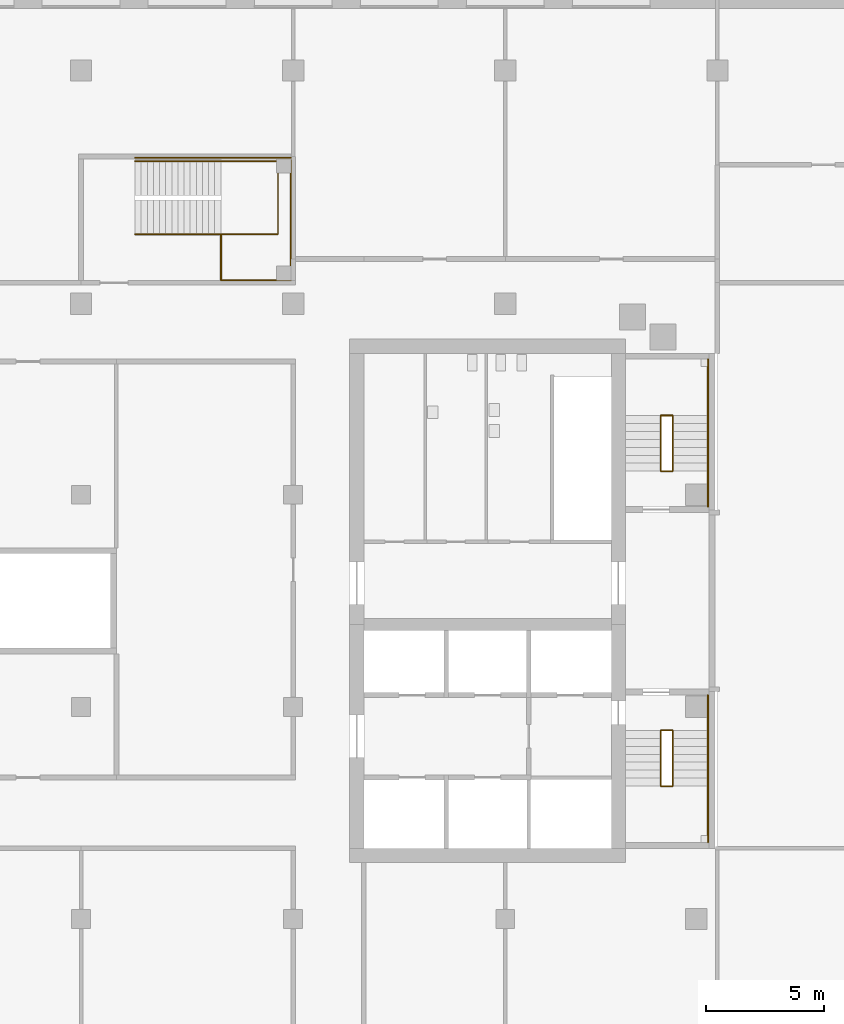
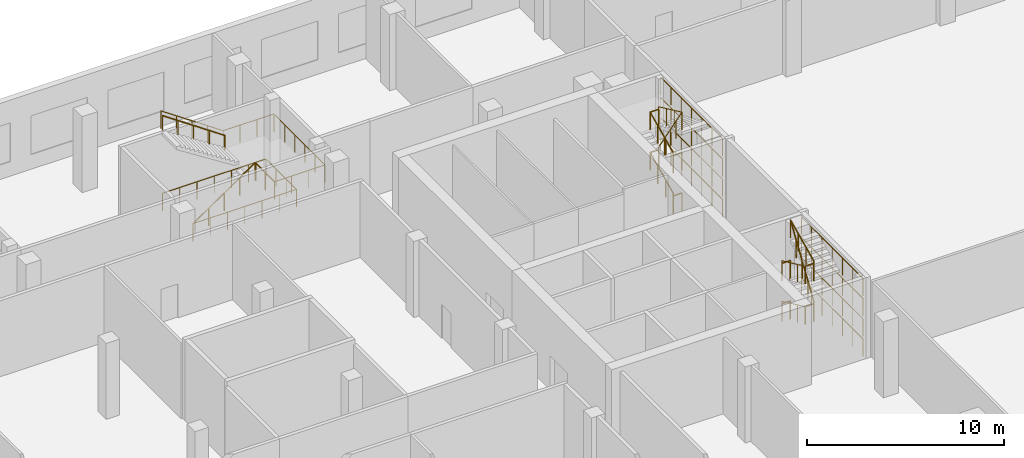
# One storey, part 18 of 21: 30 railings.
"""IFC4 building model written with IfcOpenShell, lengths in metres."""

from ifc_helpers import new_model, si_unit, direction, frame, origin, origin_2d, place, context, subcontext, project, spatial, circle, extrude, material, type_object, element, save


model = new_model("IFC4")

# Units and contexts
model_context = context("Model", 3, precision=1e-05, world=origin(), true_north=direction((0.0, 1.0)))
body_context = subcontext(model_context, "Body", "Model", "MODEL_VIEW")
ifc_project = project(units=[si_unit("LENGTHUNIT", "METRE"), si_unit("AREAUNIT", "SQUARE_METRE"), si_unit("VOLUMEUNIT", "CUBIC_METRE"), si_unit("PLANEANGLEUNIT", "RADIAN"), si_unit("MASSUNIT", "GRAM", prefix="KILO")], contexts=[model_context])

# Site, building, storey
site_placement = place(None, origin())
site = spatial("IfcSite", under=ifc_project, at=site_placement, CompositionType="ELEMENT")
building_placement = place(site_placement, origin())
building = spatial("IfcBuilding", under=site, at=building_placement, Name="Cinnabar Reach Civic Tower", CompositionType="ELEMENT")
storey_placement = place(building_placement, frame((0.0, 0.0, 11.0)))
storey = spatial("IfcBuildingStorey", under=building, at=storey_placement, Name="L02", CompositionType="ELEMENT", Elevation=11.0)

# Railings
ifc_material_1 = material(Name="Stainless steel and glass", Category="steel")
railing_type_1 = type_object("IfcRailingType", Name="Podium guard 1100", PredefinedType="GUARDRAIL", material=ifc_material_1)
railing_1_placement = place(storey_placement, frame((-51.7, 47.05, 0.0)))
element("IfcRailing", 1, at=railing_1_placement, inside=storey, type_object=railing_type_1, Name="Stair guard PS7 L02", PredefinedType="GUARDRAIL", context=body_context, shape_type="SweptSolid", body=[
    extrude(circle(Radius=0.024, at=origin_2d()), frame((0.0, 0.0, 1.076), z_axis=(0.824306135323, 0.0, 0.566144323711), x_axis=(0.0, 1.0, 0.0)), (0.0, 0.0, 1.0), 4.4158),
    extrude(circle(Radius=0.021, at=origin_2d()), origin(), (0.0, 0.0, 1.0), 1.052),
    extrude(circle(Radius=0.021, at=origin_2d()), frame((0.91, 0.0, 0.625)), (0.0, 0.0, 1.0), 1.052),
    extrude(circle(Radius=0.021, at=origin_2d()), frame((1.82, 0.0, 1.25)), (0.0, 0.0, 1.0), 1.052),
    extrude(circle(Radius=0.021, at=origin_2d()), frame((2.73, 0.0, 1.875)), (0.0, 0.0, 1.0), 1.052),
    extrude(circle(Radius=0.021, at=origin_2d()), frame((3.64, 0.0, 2.5)), (0.0, 0.0, 1.0), 1.052),
])
railing_2_placement = place(storey_placement, frame((-48.06, 45.1, 2.5)))
element("IfcRailing", 2, at=railing_2_placement, inside=storey, type_object=railing_type_1, Name="Landing guard PS7 L02", PredefinedType="GUARDRAIL", context=body_context, shape_type="SweptSolid", body=[
    extrude(circle(Radius=0.024, at=origin_2d()), frame((0.0, 0.0, 1.076), z_axis=(1.0, 0.0, 0.0), x_axis=(0.0, 1.0, 0.0)), (0.0, 0.0, 1.0), 2.96),
    extrude(circle(Radius=0.024, at=origin_2d()), frame((2.96, 0.0, 1.076), z_axis=(0.0, 1.0, 0.0), x_axis=(-1.0, 0.0, 0.0)), (0.0, 0.0, 1.0), 5.1),
    extrude(circle(Radius=0.021, at=origin_2d()), origin(), (0.0, 0.0, 1.0), 1.052),
    extrude(circle(Radius=0.021, at=origin_2d()), frame((0.9867, 0.0, 0.0)), (0.0, 0.0, 1.0), 1.052),
    extrude(circle(Radius=0.021, at=origin_2d()), frame((1.9733, 0.0, 0.0)), (0.0, 0.0, 1.0), 1.052),
    extrude(circle(Radius=0.021, at=origin_2d()), frame((2.96, 0.0, 0.0)), (0.0, 0.0, 1.0), 1.052),
    extrude(circle(Radius=0.021, at=origin_2d()), frame((2.96, 1.02, 0.0)), (0.0, 0.0, 1.0), 1.052),
    extrude(circle(Radius=0.021, at=origin_2d()), frame((2.96, 2.04, 0.0)), (0.0, 0.0, 1.0), 1.052),
    extrude(circle(Radius=0.021, at=origin_2d()), frame((2.96, 3.06, 0.0)), (0.0, 0.0, 1.0), 1.052),
    extrude(circle(Radius=0.021, at=origin_2d()), frame((2.96, 4.08, 0.0)), (0.0, 0.0, 1.0), 1.052),
    extrude(circle(Radius=0.021, at=origin_2d()), frame((2.96, 5.1, 0.0)), (0.0, 0.0, 1.0), 1.052),
])
railing_3_placement = place(storey_placement, frame((-48.06, 45.1, 2.5)))
element("IfcRailing", 3, at=railing_3_placement, inside=storey, type_object=railing_type_1, Name="Landing guard PS7 L02 inner", PredefinedType="GUARDRAIL", context=body_context, shape_type="SweptSolid", body=[
    extrude(circle(Radius=0.024, at=origin_2d()), frame((0.0, 0.0, 1.076), z_axis=(0.0, 1.0, 0.0), x_axis=(-1.0, 0.0, 0.0)), (0.0, 0.0, 1.0), 1.9),
    extrude(circle(Radius=0.021, at=origin_2d()), origin(), (0.0, 0.0, 1.0), 1.052),
    extrude(circle(Radius=0.021, at=origin_2d()), frame((0.0, 0.95, 0.0)), (0.0, 0.0, 1.0), 1.052),
    extrude(circle(Radius=0.021, at=origin_2d()), frame((0.0, 1.9, 0.0)), (0.0, 0.0, 1.0), 1.052),
])
railing_4_placement = place(storey_placement, frame((-45.1, 50.3, 2.5)))
element("IfcRailing", 4, at=railing_4_placement, inside=storey, type_object=railing_type_1, Name="Stair wall side guard PS7 L02", PredefinedType="GUARDRAIL", context=body_context, shape_type="SweptSolid", body=[
    extrude(circle(Radius=0.024, at=origin_2d()), frame((0.0, 0.0, 1.076), z_axis=(-1.0, 0.0, 0.0), x_axis=(0.0, -1.0, 0.0)), (0.0, 0.0, 1.0), 2.96),
    extrude(circle(Radius=0.024, at=origin_2d()), frame((-2.96, 0.0, 1.076), z_axis=(-0.824306135323, 0.0, 0.566144323711), x_axis=(0.0, -1.0, 0.0)), (0.0, 0.0, 1.0), 4.4158),
    extrude(circle(Radius=0.021, at=origin_2d()), origin(), (0.0, 0.0, 1.0), 1.052),
    extrude(circle(Radius=0.021, at=origin_2d()), frame((-0.9867, 0.0, 0.0)), (0.0, 0.0, 1.0), 1.052),
    extrude(circle(Radius=0.021, at=origin_2d()), frame((-1.9733, 0.0, 0.0)), (0.0, 0.0, 1.0), 1.052),
    extrude(circle(Radius=0.021, at=origin_2d()), frame((-2.96, 0.0, 0.0)), (0.0, 0.0, 1.0), 1.052),
    extrude(circle(Radius=0.021, at=origin_2d()), frame((-3.87, 0.0, 0.625)), (0.0, 0.0, 1.0), 1.052),
    extrude(circle(Radius=0.021, at=origin_2d()), frame((-4.78, 0.0, 1.25)), (0.0, 0.0, 1.0), 1.052),
    extrude(circle(Radius=0.021, at=origin_2d()), frame((-5.69, 0.0, 1.875)), (0.0, 0.0, 1.0), 1.052),
    extrude(circle(Radius=0.021, at=origin_2d()), frame((-6.6, 0.0, 2.5)), (0.0, 0.0, 1.0), 1.052),
])
railing_5_placement = place(storey_placement, frame((-51.7, 47.05, 0.0)))
element("IfcRailing", 5, at=railing_5_placement, inside=storey, type_object=railing_type_1, Name="Stair well guard PS7 L02", PredefinedType="GUARDRAIL", context=body_context, shape_type="SweptSolid", body=[
    extrude(circle(Radius=0.024, at=origin_2d()), frame((0.0, 0.0, 1.076), z_axis=(1.0, 0.0, 0.0), x_axis=(0.0, 1.0, 0.0)), (0.0, 0.0, 1.0), 6.05),
    extrude(circle(Radius=0.024, at=origin_2d()), frame((6.05, 0.0, 1.076), z_axis=(0.0, 1.0, 0.0), x_axis=(-1.0, 0.0, 0.0)), (0.0, 0.0, 1.0), 3.1),
    extrude(circle(Radius=0.024, at=origin_2d()), frame((6.05, 3.1, 1.076), z_axis=(-1.0, 0.0, 0.0), x_axis=(0.0, -1.0, 0.0)), (0.0, 0.0, 1.0), 6.05),
    extrude(circle(Radius=0.021, at=origin_2d()), origin(), (0.0, 0.0, 1.0), 1.052),
    extrude(circle(Radius=0.021, at=origin_2d()), frame((1.0083, 0.0, 0.0)), (0.0, 0.0, 1.0), 1.052),
    extrude(circle(Radius=0.021, at=origin_2d()), frame((2.0167, 0.0, 0.0)), (0.0, 0.0, 1.0), 1.052),
    extrude(circle(Radius=0.021, at=origin_2d()), frame((3.025, 0.0, 0.0)), (0.0, 0.0, 1.0), 1.052),
    extrude(circle(Radius=0.021, at=origin_2d()), frame((4.0333, 0.0, 0.0)), (0.0, 0.0, 1.0), 1.052),
    extrude(circle(Radius=0.021, at=origin_2d()), frame((5.0417, 0.0, 0.0)), (0.0, 0.0, 1.0), 1.052),
    extrude(circle(Radius=0.021, at=origin_2d()), frame((6.05, 0.0, 0.0)), (0.0, 0.0, 1.0), 1.052),
    extrude(circle(Radius=0.021, at=origin_2d()), frame((6.05, 1.0333, 0.0)), (0.0, 0.0, 1.0), 1.052),
    extrude(circle(Radius=0.021, at=origin_2d()), frame((6.05, 2.0667, 0.0)), (0.0, 0.0, 1.0), 1.052),
    extrude(circle(Radius=0.021, at=origin_2d()), frame((6.05, 3.1, 0.0)), (0.0, 0.0, 1.0), 1.052),
    extrude(circle(Radius=0.021, at=origin_2d()), frame((5.0417, 3.1, 0.0)), (0.0, 0.0, 1.0), 1.052),
    extrude(circle(Radius=0.021, at=origin_2d()), frame((4.0333, 3.1, 0.0)), (0.0, 0.0, 1.0), 1.052),
    extrude(circle(Radius=0.021, at=origin_2d()), frame((3.025, 3.1, 0.0)), (0.0, 0.0, 1.0), 1.052),
    extrude(circle(Radius=0.021, at=origin_2d()), frame((2.0167, 3.1, 0.0)), (0.0, 0.0, 1.0), 1.052),
    extrude(circle(Radius=0.021, at=origin_2d()), frame((1.0083, 3.1, 0.0)), (0.0, 0.0, 1.0), 1.052),
    extrude(circle(Radius=0.021, at=origin_2d()), frame((0.0, 3.1, 0.0)), (0.0, 0.0, 1.0), 1.052),
])
ifc_material_2 = material(Name="Stainless steel", Category="steel")
railing_type_2 = type_object("IfcRailingType", Name="Podium stair handrail 900", PredefinedType="HANDRAIL", material=ifc_material_2)
railing_6_placement = place(storey_placement, frame((-48.06, 50.15, 2.5)))
element("IfcRailing", 6, at=railing_6_placement, inside=storey, type_object=railing_type_2, Name="Stair handrail PS7 L02", PredefinedType="HANDRAIL", context=body_context, shape_type="SweptSolid", body=[
    extrude(circle(Radius=0.024, at=origin_2d()), frame((0.0, 0.0, 0.876), z_axis=(-0.824306135323, 0.0, 0.566144323711), x_axis=(0.0, -1.0, 0.0)), (0.0, 0.0, 1.0), 4.4158),
    extrude(circle(Radius=0.021, at=origin_2d()), origin(), (0.0, 0.0, 1.0), 0.852),
    extrude(circle(Radius=0.021, at=origin_2d()), frame((-0.91, 0.0, 0.625)), (0.0, 0.0, 1.0), 0.852),
    extrude(circle(Radius=0.021, at=origin_2d()), frame((-1.82, 0.0, 1.25)), (0.0, 0.0, 1.0), 0.852),
    extrude(circle(Radius=0.021, at=origin_2d()), frame((-2.73, 0.0, 1.875)), (0.0, 0.0, 1.0), 0.852),
    extrude(circle(Radius=0.021, at=origin_2d()), frame((-3.64, 0.0, 2.5)), (0.0, 0.0, 1.0), 0.852),
])
railing_type_3 = type_object("IfcRailingType", Name="T2 Stair guard 1100", PredefinedType="GUARDRAIL", material=ifc_material_2)
for number, where, name in (
    (7, (-27.4, 21.25, 0.0), "Stair guard 1"),
    (8, (-27.4, 21.25, 1.25), "Stair guard 1"),
    (9, (-27.4, 21.25, 3.75), "Stair guard 1"),
    (10, (-27.4, 21.25, 2.5), "Stair guard 1"),
):
    element("IfcRailing", number, at=place(storey_placement, frame(where)), inside=storey, type_object=railing_type_3, Name=name, PredefinedType="GUARDRAIL", context=body_context, shape_type="SweptSolid", body=[
        extrude(circle(Radius=0.024, at=origin_2d()), frame((0.0, 0.0, 1.076), z_axis=(0.0, 1.0, 0.0), x_axis=(-1.0, 0.0, 0.0)), (0.0, 0.0, 1.0), 6.25),
        extrude(circle(Radius=0.021, at=origin_2d()), origin(), (0.0, 0.0, 1.0), 1.052),
        extrude(circle(Radius=0.021, at=origin_2d()), frame((0.0, 1.0417, 0.0)), (0.0, 0.0, 1.0), 1.052),
        extrude(circle(Radius=0.021, at=origin_2d()), frame((0.0, 2.0833, 0.0)), (0.0, 0.0, 1.0), 1.052),
        extrude(circle(Radius=0.021, at=origin_2d()), frame((0.0, 3.125, 0.0)), (0.0, 0.0, 1.0), 1.052),
        extrude(circle(Radius=0.021, at=origin_2d()), frame((0.0, 4.1667, 0.0)), (0.0, 0.0, 1.0), 1.052),
        extrude(circle(Radius=0.021, at=origin_2d()), frame((0.0, 5.2083, 0.0)), (0.0, 0.0, 1.0), 1.052),
        extrude(circle(Radius=0.021, at=origin_2d()), frame((0.0, 6.25, 0.0)), (0.0, 0.0, 1.0), 1.052),
    ])
for number, where, name in (
    (11, (-29.4, 26.0, 0.0), "Stair guard 1"),
    (12, (-29.4, 23.6375, 1.25), "Stair guard 1"),
):
    element("IfcRailing", number, at=place(storey_placement, frame(where)), inside=storey, type_object=railing_type_3, Name=name, PredefinedType="GUARDRAIL", context=body_context, shape_type="SweptSolid", body=[
        extrude(circle(Radius=0.024, at=origin_2d()), frame((0.0, 0.0, 1.076), z_axis=(1.0, 0.0, 0.0), x_axis=(0.0, 1.0, 0.0)), (0.0, 0.0, 1.0), 0.5),
        extrude(circle(Radius=0.021, at=origin_2d()), origin(), (0.0, 0.0, 1.0), 1.052),
        extrude(circle(Radius=0.021, at=origin_2d()), frame((0.5, 0.0, 0.0)), (0.0, 0.0, 1.0), 1.052),
    ])
railing_7_placement = place(storey_placement, frame((-29.4, 26.0, 0.1562)))
element("IfcRailing", 13, at=railing_7_placement, inside=storey, type_object=railing_type_3, Name="Stair guard 1", PredefinedType="GUARDRAIL", context=body_context, shape_type="SweptSolid", body=[
    extrude(circle(Radius=0.024, at=origin_2d()), frame((0.0, 0.0, 1.076), z_axis=(0.0, -0.907459584921, 0.420139383698), x_axis=(1.0, 0.0, 0.0)), (0.0, 0.0, 1.0), 2.6034),
    extrude(circle(Radius=0.021, at=origin_2d()), origin(), (0.0, 0.0, 1.0), 1.052),
    extrude(circle(Radius=0.021, at=origin_2d()), frame((0.0, -0.7875, 0.3646)), (0.0, 0.0, 1.0), 1.052),
    extrude(circle(Radius=0.021, at=origin_2d()), frame((0.0, -1.575, 0.7292)), (0.0, 0.0, 1.0), 1.052),
    extrude(circle(Radius=0.021, at=origin_2d()), frame((0.0, -2.3625, 1.0938)), (0.0, 0.0, 1.0), 1.052),
])
railing_8_placement = place(storey_placement, frame((-28.9, 23.6375, 1.4062)))
element("IfcRailing", 14, at=railing_8_placement, inside=storey, type_object=railing_type_3, Name="Stair guard 1", PredefinedType="GUARDRAIL", context=body_context, shape_type="SweptSolid", body=[
    extrude(circle(Radius=0.024, at=origin_2d()), frame((0.0, 0.0, 1.076), z_axis=(0.0, 0.549317534027, 0.835613694724), x_axis=(-1.0, 0.0, 0.0)), (0.0, 0.0, 1.0), 4.3008),
    extrude(circle(Radius=0.021, at=origin_2d()), origin(), (0.0, 0.0, 1.0), 1.052),
    extrude(circle(Radius=0.021, at=origin_2d()), frame((0.0, 0.5906, 0.8984)), (0.0, 0.0, 1.0), 1.052),
    extrude(circle(Radius=0.021, at=origin_2d()), frame((0.0, 1.1813, 1.7969)), (0.0, 0.0, 1.0), 1.052),
    extrude(circle(Radius=0.021, at=origin_2d()), frame((0.0, 1.7719, 2.6953)), (0.0, 0.0, 1.0), 1.052),
    extrude(circle(Radius=0.021, at=origin_2d()), frame((0.0, 2.3625, 3.5938)), (0.0, 0.0, 1.0), 1.052),
])
for number, where, name in (
    (15, (-29.4, 26.0, 2.5), "Stair guard 1"),
    (16, (-29.4, 23.6375, 3.75), "Stair guard 1"),
):
    element("IfcRailing", number, at=place(storey_placement, frame(where)), inside=storey, type_object=railing_type_3, Name=name, PredefinedType="GUARDRAIL", context=body_context, shape_type="SweptSolid", body=[
        extrude(circle(Radius=0.024, at=origin_2d()), frame((0.0, 0.0, 1.076), z_axis=(1.0, 0.0, 0.0), x_axis=(0.0, 1.0, 0.0)), (0.0, 0.0, 1.0), 0.5),
        extrude(circle(Radius=0.021, at=origin_2d()), origin(), (0.0, 0.0, 1.0), 1.052),
        extrude(circle(Radius=0.021, at=origin_2d()), frame((0.5, 0.0, 0.0)), (0.0, 0.0, 1.0), 1.052),
    ])
railing_9_placement = place(storey_placement, frame((-29.4, 26.0, 2.6562)))
element("IfcRailing", 17, at=railing_9_placement, inside=storey, type_object=railing_type_3, Name="Stair guard 1", PredefinedType="GUARDRAIL", context=body_context, shape_type="SweptSolid", body=[
    extrude(circle(Radius=0.024, at=origin_2d()), frame((0.0, 0.0, 1.076), z_axis=(0.0, -0.907459584921, 0.420139383698), x_axis=(1.0, 0.0, 0.0)), (0.0, 0.0, 1.0), 2.6034),
    extrude(circle(Radius=0.021, at=origin_2d()), origin(), (0.0, 0.0, 1.0), 1.052),
    extrude(circle(Radius=0.021, at=origin_2d()), frame((0.0, -0.7875, 0.3646)), (0.0, 0.0, 1.0), 1.052),
    extrude(circle(Radius=0.021, at=origin_2d()), frame((0.0, -1.575, 0.7292)), (0.0, 0.0, 1.0), 1.052),
    extrude(circle(Radius=0.021, at=origin_2d()), frame((0.0, -2.3625, 1.0938)), (0.0, 0.0, 1.0), 1.052),
])
railing_10_placement = place(storey_placement, frame((-28.9, 23.6375, 3.9062)))
element("IfcRailing", 18, at=railing_10_placement, inside=storey, type_object=railing_type_3, Name="Stair guard 1", PredefinedType="GUARDRAIL", context=body_context, shape_type="SweptSolid", body=[
    extrude(circle(Radius=0.024, at=origin_2d()), frame((0.0, 0.0, 1.076), z_axis=(0.0, 0.907459584921, 0.420139383698), x_axis=(-1.0, 0.0, 0.0)), (0.0, 0.0, 1.0), 2.6034),
    extrude(circle(Radius=0.021, at=origin_2d()), origin(), (0.0, 0.0, 1.0), 1.052),
    extrude(circle(Radius=0.021, at=origin_2d()), frame((0.0, 0.7875, 0.3646)), (0.0, 0.0, 1.0), 1.052),
    extrude(circle(Radius=0.021, at=origin_2d()), frame((0.0, 1.575, 0.7292)), (0.0, 0.0, 1.0), 1.052),
    extrude(circle(Radius=0.021, at=origin_2d()), frame((0.0, 2.3625, 1.0938)), (0.0, 0.0, 1.0), 1.052),
])
for number, where, name in (
    (19, (-27.4, 35.5, 0.0), "Stair guard 2"),
    (20, (-27.4, 35.5, 1.25), "Stair guard 2"),
    (21, (-27.4, 35.5, 3.75), "Stair guard 2"),
    (22, (-27.4, 35.5, 2.5), "Stair guard 2"),
):
    element("IfcRailing", number, at=place(storey_placement, frame(where)), inside=storey, type_object=railing_type_3, Name=name, PredefinedType="GUARDRAIL", context=body_context, shape_type="SweptSolid", body=[
        extrude(circle(Radius=0.024, at=origin_2d()), frame((0.0, 0.0, 1.076), z_axis=(0.0, 1.0, 0.0), x_axis=(-1.0, 0.0, 0.0)), (0.0, 0.0, 1.0), 6.25),
        extrude(circle(Radius=0.021, at=origin_2d()), origin(), (0.0, 0.0, 1.0), 1.052),
        extrude(circle(Radius=0.021, at=origin_2d()), frame((0.0, 1.0417, 0.0)), (0.0, 0.0, 1.0), 1.052),
        extrude(circle(Radius=0.021, at=origin_2d()), frame((0.0, 2.0833, 0.0)), (0.0, 0.0, 1.0), 1.052),
        extrude(circle(Radius=0.021, at=origin_2d()), frame((0.0, 3.125, 0.0)), (0.0, 0.0, 1.0), 1.052),
        extrude(circle(Radius=0.021, at=origin_2d()), frame((0.0, 4.1667, 0.0)), (0.0, 0.0, 1.0), 1.052),
        extrude(circle(Radius=0.021, at=origin_2d()), frame((0.0, 5.2083, 0.0)), (0.0, 0.0, 1.0), 1.052),
        extrude(circle(Radius=0.021, at=origin_2d()), frame((0.0, 6.25, 0.0)), (0.0, 0.0, 1.0), 1.052),
    ])
for number, where, name in (
    (23, (-29.4, 37.0, 0.0), "Stair guard 2"),
    (24, (-29.4, 39.3625, 1.25), "Stair guard 2"),
):
    element("IfcRailing", number, at=place(storey_placement, frame(where)), inside=storey, type_object=railing_type_3, Name=name, PredefinedType="GUARDRAIL", context=body_context, shape_type="SweptSolid", body=[
        extrude(circle(Radius=0.024, at=origin_2d()), frame((0.0, 0.0, 1.076), z_axis=(1.0, 0.0, 0.0), x_axis=(0.0, 1.0, 0.0)), (0.0, 0.0, 1.0), 0.5),
        extrude(circle(Radius=0.021, at=origin_2d()), origin(), (0.0, 0.0, 1.0), 1.052),
        extrude(circle(Radius=0.021, at=origin_2d()), frame((0.5, 0.0, 0.0)), (0.0, 0.0, 1.0), 1.052),
    ])
railing_11_placement = place(storey_placement, frame((-29.4, 37.0, 0.1562)))
element("IfcRailing", 25, at=railing_11_placement, inside=storey, type_object=railing_type_3, Name="Stair guard 2", PredefinedType="GUARDRAIL", context=body_context, shape_type="SweptSolid", body=[
    extrude(circle(Radius=0.024, at=origin_2d()), frame((0.0, 0.0, 1.076), z_axis=(0.0, 0.907459584921, 0.420139383698), x_axis=(-1.0, 0.0, 0.0)), (0.0, 0.0, 1.0), 2.6034),
    extrude(circle(Radius=0.021, at=origin_2d()), origin(), (0.0, 0.0, 1.0), 1.052),
    extrude(circle(Radius=0.021, at=origin_2d()), frame((0.0, 0.7875, 0.3646)), (0.0, 0.0, 1.0), 1.052),
    extrude(circle(Radius=0.021, at=origin_2d()), frame((0.0, 1.575, 0.7292)), (0.0, 0.0, 1.0), 1.052),
    extrude(circle(Radius=0.021, at=origin_2d()), frame((0.0, 2.3625, 1.0938)), (0.0, 0.0, 1.0), 1.052),
])
railing_12_placement = place(storey_placement, frame((-28.9, 39.3625, 1.4062)))
element("IfcRailing", 26, at=railing_12_placement, inside=storey, type_object=railing_type_3, Name="Stair guard 2", PredefinedType="GUARDRAIL", context=body_context, shape_type="SweptSolid", body=[
    extrude(circle(Radius=0.024, at=origin_2d()), frame((0.0, 0.0, 1.076), z_axis=(0.0, -0.549317534027, 0.835613694724), x_axis=(1.0, 0.0, 0.0)), (0.0, 0.0, 1.0), 4.3008),
    extrude(circle(Radius=0.021, at=origin_2d()), origin(), (0.0, 0.0, 1.0), 1.052),
    extrude(circle(Radius=0.021, at=origin_2d()), frame((0.0, -0.5906, 0.8984)), (0.0, 0.0, 1.0), 1.052),
    extrude(circle(Radius=0.021, at=origin_2d()), frame((0.0, -1.1812, 1.7969)), (0.0, 0.0, 1.0), 1.052),
    extrude(circle(Radius=0.021, at=origin_2d()), frame((0.0, -1.7719, 2.6953)), (0.0, 0.0, 1.0), 1.052),
    extrude(circle(Radius=0.021, at=origin_2d()), frame((0.0, -2.3625, 3.5938)), (0.0, 0.0, 1.0), 1.052),
])
for number, where, name in (
    (27, (-29.4, 37.0, 2.5), "Stair guard 2"),
    (28, (-29.4, 39.3625, 3.75), "Stair guard 2"),
):
    element("IfcRailing", number, at=place(storey_placement, frame(where)), inside=storey, type_object=railing_type_3, Name=name, PredefinedType="GUARDRAIL", context=body_context, shape_type="SweptSolid", body=[
        extrude(circle(Radius=0.024, at=origin_2d()), frame((0.0, 0.0, 1.076), z_axis=(1.0, 0.0, 0.0), x_axis=(0.0, 1.0, 0.0)), (0.0, 0.0, 1.0), 0.5),
        extrude(circle(Radius=0.021, at=origin_2d()), origin(), (0.0, 0.0, 1.0), 1.052),
        extrude(circle(Radius=0.021, at=origin_2d()), frame((0.5, 0.0, 0.0)), (0.0, 0.0, 1.0), 1.052),
    ])
railing_13_placement = place(storey_placement, frame((-29.4, 37.0, 2.6562)))
element("IfcRailing", 29, at=railing_13_placement, inside=storey, type_object=railing_type_3, Name="Stair guard 2", PredefinedType="GUARDRAIL", context=body_context, shape_type="SweptSolid", body=[
    extrude(circle(Radius=0.024, at=origin_2d()), frame((0.0, 0.0, 1.076), z_axis=(0.0, 0.907459584921, 0.420139383698), x_axis=(-1.0, 0.0, 0.0)), (0.0, 0.0, 1.0), 2.6034),
    extrude(circle(Radius=0.021, at=origin_2d()), origin(), (0.0, 0.0, 1.0), 1.052),
    extrude(circle(Radius=0.021, at=origin_2d()), frame((0.0, 0.7875, 0.3646)), (0.0, 0.0, 1.0), 1.052),
    extrude(circle(Radius=0.021, at=origin_2d()), frame((0.0, 1.575, 0.7292)), (0.0, 0.0, 1.0), 1.052),
    extrude(circle(Radius=0.021, at=origin_2d()), frame((0.0, 2.3625, 1.0938)), (0.0, 0.0, 1.0), 1.052),
])
railing_14_placement = place(storey_placement, frame((-28.9, 39.3625, 3.9062)))
element("IfcRailing", 30, at=railing_14_placement, inside=storey, type_object=railing_type_3, Name="Stair guard 2", PredefinedType="GUARDRAIL", context=body_context, shape_type="SweptSolid", body=[
    extrude(circle(Radius=0.024, at=origin_2d()), frame((0.0, 0.0, 1.076), z_axis=(0.0, -0.907459584921, 0.420139383698), x_axis=(1.0, 0.0, 0.0)), (0.0, 0.0, 1.0), 2.6034),
    extrude(circle(Radius=0.021, at=origin_2d()), origin(), (0.0, 0.0, 1.0), 1.052),
    extrude(circle(Radius=0.021, at=origin_2d()), frame((0.0, -0.7875, 0.3646)), (0.0, 0.0, 1.0), 1.052),
    extrude(circle(Radius=0.021, at=origin_2d()), frame((0.0, -1.575, 0.7292)), (0.0, 0.0, 1.0), 1.052),
    extrude(circle(Radius=0.021, at=origin_2d()), frame((0.0, -2.3625, 1.0938)), (0.0, 0.0, 1.0), 1.052),
])

save(model, "model.ifc")
